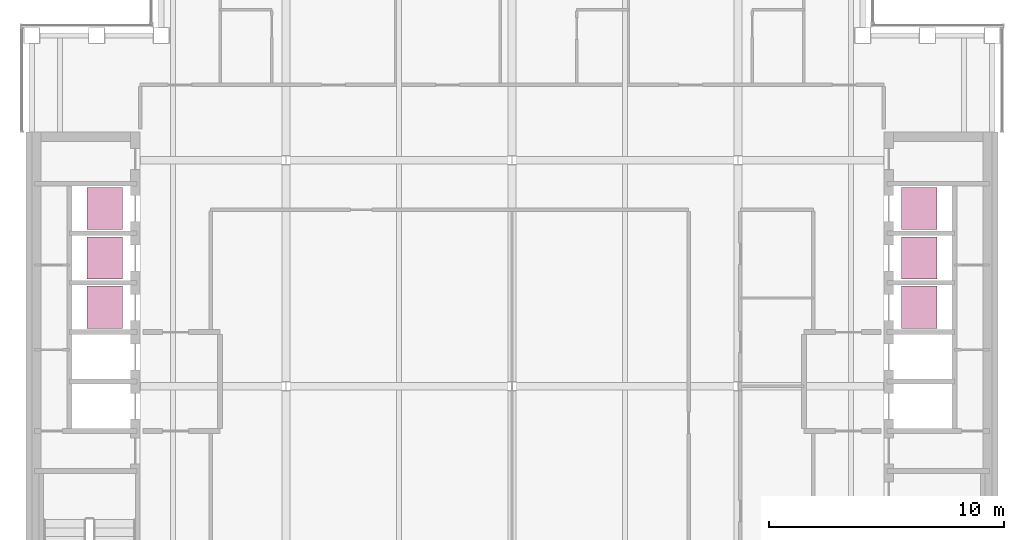
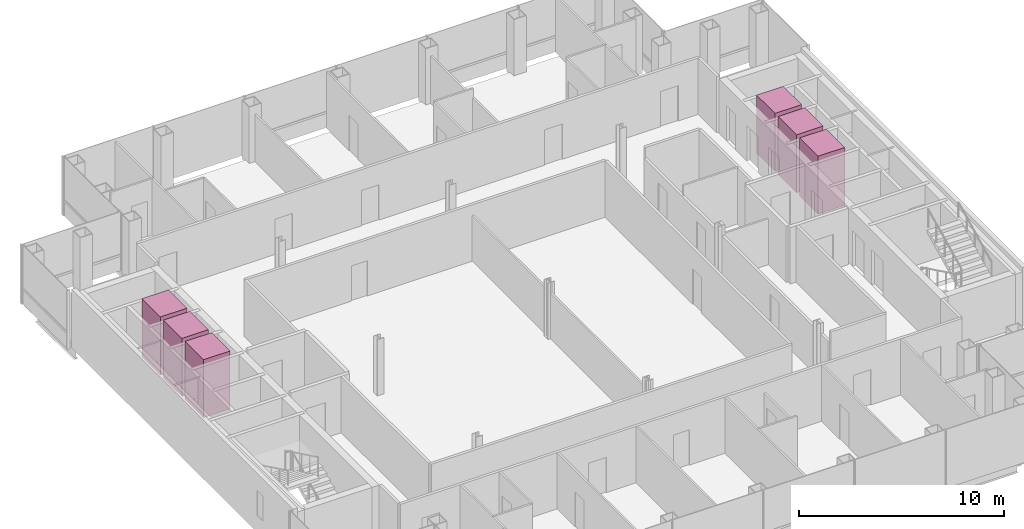
# One storey, part 15 of 15: 6 transport elements.
"""IFC4 building model written with IfcOpenShell, lengths in metres."""

from ifc_helpers import new_model, si_unit, direction, frame, origin, origin_2d, place, context, subcontext, project, spatial, rectangle, extrude, material, type_object, element, save


model = new_model("IFC4")

# Units and contexts
model_context = context("Model", 3, precision=1e-05, world=origin(), true_north=direction((0.0, 1.0)))
body_context = subcontext(model_context, "Body", "Model", "MODEL_VIEW")
ifc_project = project(units=[si_unit("LENGTHUNIT", "METRE"), si_unit("AREAUNIT", "SQUARE_METRE"), si_unit("VOLUMEUNIT", "CUBIC_METRE"), si_unit("PLANEANGLEUNIT", "RADIAN"), si_unit("MASSUNIT", "GRAM", prefix="KILO")], contexts=[model_context])

# Site, building, storey
site_placement = place(None, origin())
site = spatial("IfcSite", under=ifc_project, at=site_placement, CompositionType="ELEMENT")
building_placement = place(site_placement, origin())
building = spatial("IfcBuilding", under=site, at=building_placement, Name="Cobrizo Arcos Hotel Tower", CompositionType="ELEMENT")
storey_placement = place(building_placement, frame((0.0, 0.0, 194.5)))
storey = spatial("IfcBuildingStorey", under=building, at=storey_placement, Name="L50", CompositionType="ELEMENT", Elevation=194.5)

# Transport elements
ifc_material = material(Name="Stainless steel car", Category="steel")
transport_element_type = type_object("IfcTransportElementType", Name="Lift car High 1.8x1.5", PredefinedType="ELEVATOR", material=ifc_material)
for number, where, z_axis, x_axis, name in (
    (1, (-17.300048828125, 3.35009765625, 0.0), (0.0, 0.0, 1.0), (1.0, 0.0, 0.0), "High-rise passenger lift W1"),
    (2, (-17.300048828125, 5.449951171875, 0.0), (0.0, 0.0, 1.0), (1.0, 0.0, 0.0), "High-rise passenger lift W2"),
    (3, (-17.300048828125, 7.550048828125, 0.0), (0.0, 0.0, 1.0), (1.0, 0.0, 0.0), "High-rise passenger lift W3"),
    (4, (17.300048828125, 3.35009765625, 0.0), (0.0, 0.0, 1.0), (1.0, 0.0, 0.0), "High-rise passenger lift E1"),
    (5, (17.300048828125, 5.449951171875, 0.0), (0.0, 0.0, 1.0), (1.0, 0.0, 0.0), "High-rise passenger lift E2"),
    (6, (17.300048828125, 7.550048828125, 0.0), (0.0, 0.0, 1.0), (1.0, 0.0, 0.0), "High-rise passenger lift E3"),
):
    element("IfcTransportElement", number, at=place(storey_placement, frame(where, z_axis=z_axis, x_axis=x_axis)), inside=storey, type_object=transport_element_type, Name=name, PredefinedType="ELEVATOR", context=body_context, shape_type="SweptSolid", body=[
        extrude(rectangle(XDim=1.5, YDim=1.800048828125, at=origin_2d()), origin(), (0.0, 0.0, 1.0), 3.449951171875),
    ])

save(model, "model.ifc")
